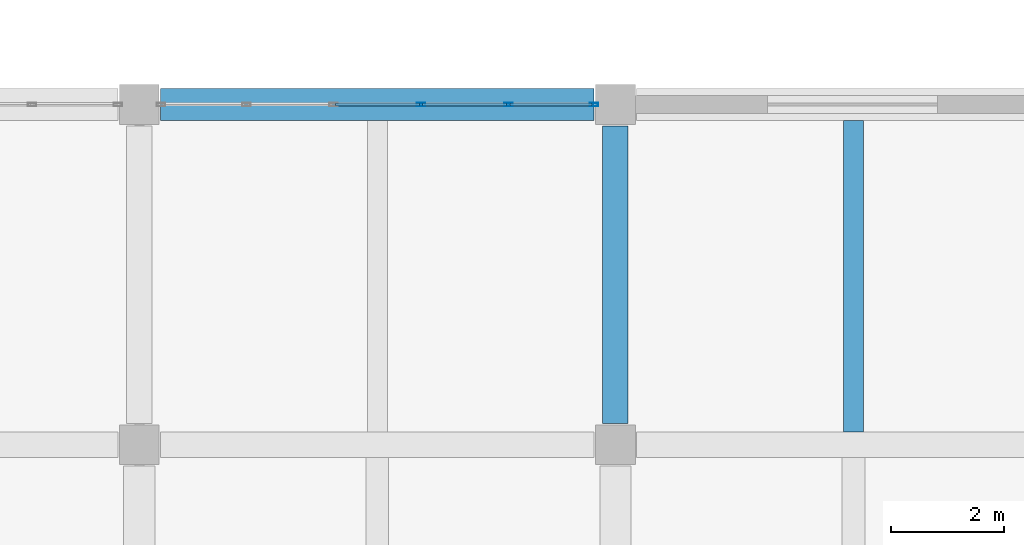
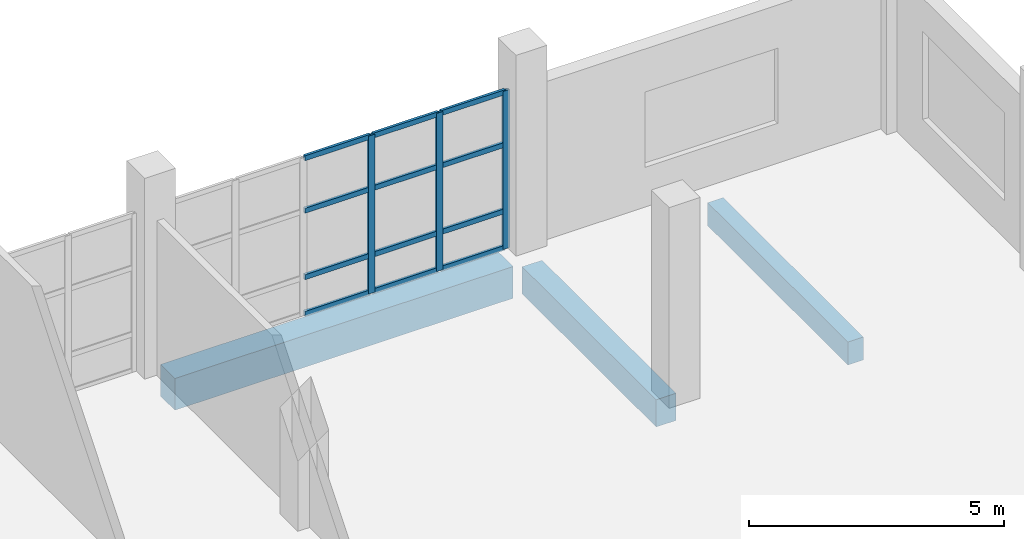
# One storey, part 62 of 91: 15 members, 3 beams, 1 element without a shape of its own.
"""IFC4 building model written with IfcOpenShell, lengths in metres."""

from ifc_helpers import new_model, si_unit, direction, frame, origin, origin_2d, place, context, subcontext, project, spatial, rectangle, hollow_rectangle, extrude, material, material_profile, profile_set, type_object, element, aggregate, save


model = new_model("IFC4")

# Units and contexts
model_context = context("Model", 3, precision=1e-05, world=origin(), true_north=direction((0.0, 1.0)))
body_context = subcontext(model_context, "Body", "Model", "MODEL_VIEW")
ifc_project = project(units=[si_unit("LENGTHUNIT", "METRE"), si_unit("AREAUNIT", "SQUARE_METRE"), si_unit("VOLUMEUNIT", "CUBIC_METRE"), si_unit("PLANEANGLEUNIT", "RADIAN"), si_unit("MASSUNIT", "GRAM", prefix="KILO")], contexts=[model_context])

# Site, building, storey
site_placement = place(None, origin())
site = spatial("IfcSite", under=ifc_project, at=site_placement, CompositionType="ELEMENT")
building_placement = place(site_placement, origin())
building = spatial("IfcBuilding", under=site, at=building_placement, Name="Pellamere Symphony Hall", CompositionType="ELEMENT")
storey_placement = place(building_placement, frame((0.0, 0.0, 5.39990234375)))
storey = spatial("IfcBuildingStorey", under=building, at=storey_placement, Name="L01", CompositionType="ELEMENT", Elevation=5.39990234375)

# Curtain wall, members
ifc_material_1 = material(Name="Thermally Broken Anodised Aluminium 6063-T6 Curtain Wall", Category="aluminium")
curtain_wall_type = type_object("IfcCurtainWallType", Name="Curtain Wall CW-05 (Artists Wing North Studio Ribbon Curtain Wall)", PredefinedType="NOTDEFINED", material=ifc_material_1)
curtain_wall_placement = place(storey_placement, origin())
curtain_wall = element("IfcCurtainWall", 1, at=curtain_wall_placement, inside=storey, type_object=curtain_wall_type, Name="Artists Wing North Studio Curtain Wall (L01 Bay 2)", PredefinedType="NOTDEFINED")
ifc_material_2 = material(Name="Anodised Architectural Aluminium 6063-T6", Category="aluminium")
ifc_material_profile_1 = material_profile(ifc_material_2, hollow_rectangle(XDim=0.06005859375, YDim=0.14990234375, WallThickness=0.00390625, at=origin_2d()), Name="ALU-M60X150X4")
ifc_profile_set_1 = profile_set([ifc_material_profile_1], Name="Anodised Architectural Aluminium 6063-T6")
member_type_1 = type_object("IfcMemberType", Name="Curtain Wall Mullion ML-03 ALU-M60X150X4", PredefinedType="MULLION", material=ifc_profile_set_1)
member_1_placement = place(storey_placement, frame((160.969970703125, 99.60009765625, 0.0), z_axis=(0.0, 0.0, 1.0), x_axis=(0.0, 1.0, 0.0)))
member_1 = element("IfcMember", 2, at=member_1_placement, type_object=member_type_1, Name="CW5-131 crystal mullion 4", PredefinedType="MULLION", context=body_context, shape_type="SweptSolid", body=[
    extrude(hollow_rectangle(XDim=0.06005859375, YDim=0.14990234375, WallThickness=0.00390625, at=origin_2d()), origin(), (0.0, 0.0, 1.0), 3.780029296875),
])
member_2_placement = place(storey_placement, frame((162.510009765625, 99.60009765625, 0.0), z_axis=(0.0, 0.0, 1.0), x_axis=(0.0, 1.0, 0.0)))
member_2 = element("IfcMember", 3, at=member_2_placement, type_object=member_type_1, Name="CW5-131 crystal mullion 5", PredefinedType="MULLION", context=body_context, shape_type="SweptSolid", body=[
    extrude(hollow_rectangle(XDim=0.06005859375, YDim=0.14990234375, WallThickness=0.00390625, at=origin_2d()), origin(), (0.0, 0.0, 1.0), 3.780029296875),
])
member_3_placement = place(storey_placement, frame((164.02001953125, 99.60009765625, 0.0), z_axis=(0.0, 0.0, 1.0), x_axis=(0.0, 1.0, 0.0)))
member_3 = element("IfcMember", 4, at=member_3_placement, type_object=member_type_1, Name="CW5-131 crystal mullion 6", PredefinedType="MULLION", context=body_context, shape_type="SweptSolid", body=[
    extrude(hollow_rectangle(XDim=0.06005859375, YDim=0.14990234375, WallThickness=0.00390625, at=origin_2d()), origin(), (0.0, 0.0, 1.0), 3.780029296875),
])
ifc_material_profile_2 = material_profile(ifc_material_2, hollow_rectangle(XDim=0.06005859375, YDim=0.1201171875, WallThickness=0.00390625, at=origin_2d()), Name="ALU-T60X120X4")
ifc_profile_set_2 = profile_set([ifc_material_profile_2], Name="Anodised Architectural Aluminium 6063-T6")
member_type_2 = type_object("IfcMemberType", Name="Curtain Wall Transom TR-03 ALU-T60X120X4", PredefinedType="USERDEFINED", material=ifc_profile_set_2)
member_4_placement = place(storey_placement, frame((159.4599609375, 99.60009765625, 0.030029296875), z_axis=(1.0, 0.0, 0.0), x_axis=(0.0, 1.0, 0.0)))
member_4 = element("IfcMember", 5, at=member_4_placement, type_object=member_type_2, Name="CW5-131 crystal transom 3.1", ObjectType="TRANSOM", PredefinedType="USERDEFINED", context=body_context, shape_type="SweptSolid", body=[
    extrude(hollow_rectangle(XDim=0.06005859375, YDim=0.1201171875, WallThickness=0.00390625, at=origin_2d()), origin(), (0.0, 0.0, 1.0), 1.47998046875),
])
member_5_placement = place(storey_placement, frame((159.4599609375, 99.60009765625, 0.9072265625), z_axis=(1.0, 0.0, 0.0), x_axis=(0.0, 1.0, 0.0)))
member_5 = element("IfcMember", 6, at=member_5_placement, type_object=member_type_2, Name="CW5-131 crystal transom 3.2", ObjectType="TRANSOM", PredefinedType="USERDEFINED", context=body_context, shape_type="SweptSolid", body=[
    extrude(hollow_rectangle(XDim=0.06005859375, YDim=0.1201171875, WallThickness=0.00390625, at=origin_2d()), origin(), (0.0, 0.0, 1.0), 1.47998046875),
])
member_6_placement = place(storey_placement, frame((159.4599609375, 99.60009765625, 2.494873046875), z_axis=(1.0, 0.0, 0.0), x_axis=(0.0, 1.0, 0.0)))
member_6 = element("IfcMember", 7, at=member_6_placement, type_object=member_type_2, Name="CW5-131 crystal transom 3.3", ObjectType="TRANSOM", PredefinedType="USERDEFINED", context=body_context, shape_type="SweptSolid", body=[
    extrude(hollow_rectangle(XDim=0.06005859375, YDim=0.1201171875, WallThickness=0.00390625, at=origin_2d()), origin(), (0.0, 0.0, 1.0), 1.47998046875),
])
member_7_placement = place(storey_placement, frame((159.4599609375, 99.60009765625, 3.75), z_axis=(1.0, 0.0, 0.0), x_axis=(0.0, 1.0, 0.0)))
member_7 = element("IfcMember", 8, at=member_7_placement, type_object=member_type_2, Name="CW5-131 crystal transom 3.4", ObjectType="TRANSOM", PredefinedType="USERDEFINED", context=body_context, shape_type="SweptSolid", body=[
    extrude(hollow_rectangle(XDim=0.06005859375, YDim=0.1201171875, WallThickness=0.00390625, at=origin_2d()), origin(), (0.0, 0.0, 1.0), 1.47998046875),
])
member_8_placement = place(storey_placement, frame((161.0, 99.60009765625, 0.030029296875), z_axis=(1.0, 0.0, 0.0), x_axis=(0.0, 1.0, 0.0)))
member_8 = element("IfcMember", 9, at=member_8_placement, type_object=member_type_2, Name="CW5-131 crystal transom 4.1", ObjectType="TRANSOM", PredefinedType="USERDEFINED", context=body_context, shape_type="SweptSolid", body=[
    extrude(hollow_rectangle(XDim=0.06005859375, YDim=0.1201171875, WallThickness=0.00390625, at=origin_2d()), origin(), (0.0, 0.0, 1.0), 1.47998046875),
])
member_9_placement = place(storey_placement, frame((161.0, 99.60009765625, 0.9072265625), z_axis=(1.0, 0.0, 0.0), x_axis=(0.0, 1.0, 0.0)))
member_9 = element("IfcMember", 10, at=member_9_placement, type_object=member_type_2, Name="CW5-131 crystal transom 4.2", ObjectType="TRANSOM", PredefinedType="USERDEFINED", context=body_context, shape_type="SweptSolid", body=[
    extrude(hollow_rectangle(XDim=0.06005859375, YDim=0.1201171875, WallThickness=0.00390625, at=origin_2d()), origin(), (0.0, 0.0, 1.0), 1.47998046875),
])
member_10_placement = place(storey_placement, frame((161.0, 99.60009765625, 2.494873046875), z_axis=(1.0, 0.0, 0.0), x_axis=(0.0, 1.0, 0.0)))
member_10 = element("IfcMember", 11, at=member_10_placement, type_object=member_type_2, Name="CW5-131 crystal transom 4.3", ObjectType="TRANSOM", PredefinedType="USERDEFINED", context=body_context, shape_type="SweptSolid", body=[
    extrude(hollow_rectangle(XDim=0.06005859375, YDim=0.1201171875, WallThickness=0.00390625, at=origin_2d()), origin(), (0.0, 0.0, 1.0), 1.47998046875),
])
member_11_placement = place(storey_placement, frame((161.0, 99.60009765625, 3.75), z_axis=(1.0, 0.0, 0.0), x_axis=(0.0, 1.0, 0.0)))
member_11 = element("IfcMember", 12, at=member_11_placement, type_object=member_type_2, Name="CW5-131 crystal transom 4.4", ObjectType="TRANSOM", PredefinedType="USERDEFINED", context=body_context, shape_type="SweptSolid", body=[
    extrude(hollow_rectangle(XDim=0.06005859375, YDim=0.1201171875, WallThickness=0.00390625, at=origin_2d()), origin(), (0.0, 0.0, 1.0), 1.47998046875),
])
member_12_placement = place(storey_placement, frame((162.5400390625, 99.60009765625, 0.030029296875), z_axis=(1.0, 0.0, 0.0), x_axis=(0.0, 1.0, 0.0)))
member_12 = element("IfcMember", 13, at=member_12_placement, type_object=member_type_2, Name="CW5-131 crystal transom 5.1", ObjectType="TRANSOM", PredefinedType="USERDEFINED", context=body_context, shape_type="SweptSolid", body=[
    extrude(hollow_rectangle(XDim=0.06005859375, YDim=0.1201171875, WallThickness=0.00390625, at=origin_2d()), origin(), (0.0, 0.0, 1.0), 1.449951171875),
])
member_13_placement = place(storey_placement, frame((162.5400390625, 99.60009765625, 0.9072265625), z_axis=(1.0, 0.0, 0.0), x_axis=(0.0, 1.0, 0.0)))
member_13 = element("IfcMember", 14, at=member_13_placement, type_object=member_type_2, Name="CW5-131 crystal transom 5.2", ObjectType="TRANSOM", PredefinedType="USERDEFINED", context=body_context, shape_type="SweptSolid", body=[
    extrude(hollow_rectangle(XDim=0.06005859375, YDim=0.1201171875, WallThickness=0.00390625, at=origin_2d()), origin(), (0.0, 0.0, 1.0), 1.449951171875),
])
member_14_placement = place(storey_placement, frame((162.5400390625, 99.60009765625, 2.494873046875), z_axis=(1.0, 0.0, 0.0), x_axis=(0.0, 1.0, 0.0)))
member_14 = element("IfcMember", 15, at=member_14_placement, type_object=member_type_2, Name="CW5-131 crystal transom 5.3", ObjectType="TRANSOM", PredefinedType="USERDEFINED", context=body_context, shape_type="SweptSolid", body=[
    extrude(hollow_rectangle(XDim=0.06005859375, YDim=0.1201171875, WallThickness=0.00390625, at=origin_2d()), origin(), (0.0, 0.0, 1.0), 1.449951171875),
])
member_15_placement = place(storey_placement, frame((162.5400390625, 99.60009765625, 3.75), z_axis=(1.0, 0.0, 0.0), x_axis=(0.0, 1.0, 0.0)))
member_15 = element("IfcMember", 16, at=member_15_placement, type_object=member_type_2, Name="CW5-131 crystal transom 5.4", ObjectType="TRANSOM", PredefinedType="USERDEFINED", context=body_context, shape_type="SweptSolid", body=[
    extrude(hollow_rectangle(XDim=0.06005859375, YDim=0.1201171875, WallThickness=0.00390625, at=origin_2d()), origin(), (0.0, 0.0, 1.0), 1.449951171875),
])
aggregate(curtain_wall, [member_1, member_2, member_3, member_4, member_5, member_6, member_7, member_8, member_9, member_10, member_11, member_12, member_13, member_14, member_15])

# Beams
ifc_material_3 = material(Name="Concrete 40 MPa", Category="concrete")
ifc_material_profile_3 = material_profile(ifc_material_3, rectangle(XDim=0.449951171875, YDim=0.64990234375, at=origin_2d()), Name="RC 450x650")
ifc_profile_set_3 = profile_set([ifc_material_profile_3], Name="Concrete 40 MPa")
beam_type_1 = type_object("IfcBeamType", Name="RC CB-08 450x650", PredefinedType="BEAM", material=ifc_profile_set_3)
beam_1_placement = place(storey_placement, frame((164.39990234375, 93.97509765625, -0.60498046875), z_axis=(0.0, 1.0, 0.0), x_axis=(-1.0, 0.0, 0.0)))
element("IfcBeam", 17, at=beam_1_placement, inside=storey, type_object=beam_type_1, Name="Girder CB-08-Y0883 (L01)", PredefinedType="BEAM", context=body_context, shape_type="SweptSolid", body=[
    extrude(rectangle(XDim=0.449951171875, YDim=0.64990234375, at=origin_2d()), origin(), (0.0, 0.0, 1.0), 5.25),
])
ifc_material_4 = material(Name="Concrete 35 MPa", Category="concrete")
ifc_material_profile_4 = material_profile(ifc_material_4, rectangle(XDim=0.35009765625, YDim=0.550048828125, at=origin_2d()), Name="RC 350x550")
ifc_profile_set_4 = profile_set([ifc_material_profile_4], Name="Concrete 35 MPa")
beam_type_2 = type_object("IfcBeamType", Name="RC CB-10 350x550", PredefinedType="BEAM", material=ifc_profile_set_4)
beam_2_placement = place(storey_placement, frame((168.60009765625, 93.824951171875, -0.56982421875), z_axis=(0.0, 1.0, 0.0), x_axis=(-1.0, 0.0, 0.0)))
element("IfcBeam", 18, at=beam_2_placement, inside=storey, type_object=beam_type_2, Name="Secondary Floor Beam CB-10-M2012 (L01)", PredefinedType="BEAM", context=body_context, shape_type="SweptSolid", body=[
    extrude(rectangle(XDim=0.35009765625, YDim=0.550048828125, at=origin_2d()), origin(), (0.0, 0.0, 1.0), 5.4951171875),
])
ifc_material_profile_5 = material_profile(ifc_material_3, rectangle(XDim=0.56005859375, YDim=0.760009765625, at=origin_2d()), Name="RC 560x760")
ifc_profile_set_5 = profile_set([ifc_material_profile_5], Name="Concrete 40 MPa")
beam_type_3 = type_object("IfcBeamType", Name="RC CB-18 560x760", PredefinedType="BEAM", material=ifc_profile_set_5)
beam_3_placement = place(storey_placement, frame((156.375, 99.60009765625, -0.659912109375), z_axis=(1.0, 0.0, 0.0), x_axis=(0.0, 1.0, 0.0)))
element("IfcBeam", 19, at=beam_3_placement, inside=storey, type_object=beam_type_3, Name="Girder CB-18-X0703 (L01)", PredefinedType="BEAM", context=body_context, shape_type="SweptSolid", body=[
    extrude(rectangle(XDim=0.56005859375, YDim=0.760009765625, at=origin_2d()), origin(), (0.0, 0.0, 1.0), 7.64990234375),
])

save(model, "model.ifc")
